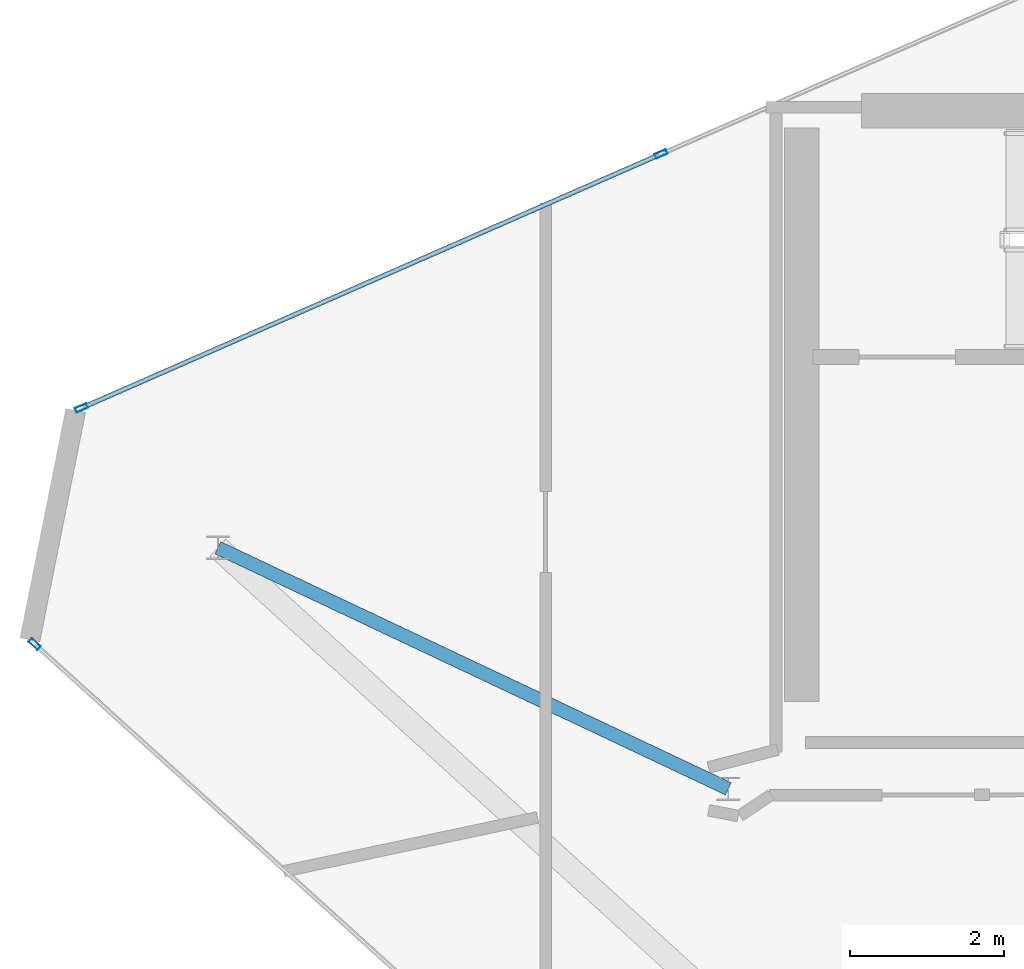
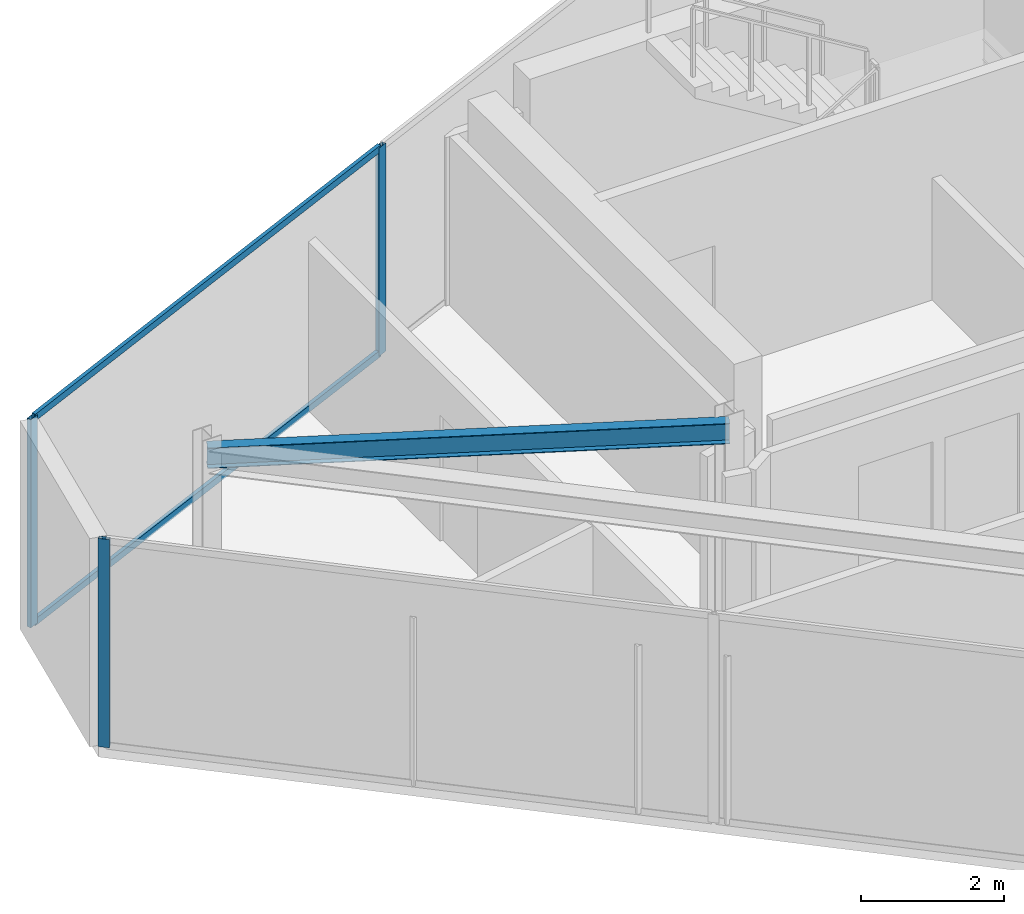
# One storey, part 7 of 16: 5 members, 1 beam, 2 elements without a shape of their own.
"""IFC4 building model written with IfcOpenShell, lengths in metres."""

import ifcopenshell
import ifcopenshell.guid

model = None  # the IFC model being written
_history = None  # IfcOwnerHistory: only IFC2X3 demands one
_inside = {}  # id of a spatial element -> (the spatial element, [elements in it])
_under = {}  # id of a project, library or spatial element -> (it, [spatial elements below it])
_declared = {}  # id of a project -> (the project, [libraries it declares])
_typed = {}  # id of a type object -> (the type object, [elements of that type])
_made_of = {}  # id of a material, layer set ... -> (it, [elements and type objects made of it])


def new_model(schema):
    """Start an empty IFC model of exactly this schema.

    Asked for "IFC4X3", IfcOpenShell would pick the latest addendum, in which some entities
    have other attributes; the version numbers below select the first issue.
    IFC2X3 requires an IfcOwnerHistory on every rooted entity: one is made here for all.
    """
    global model, _history
    if schema == "IFC4X3":
        model = ifcopenshell.file(schema_version=(4, 3, 0, 0))
    else:
        model = ifcopenshell.file(schema=schema)
    _inside.clear()
    _under.clear()
    _declared.clear()
    _typed.clear()
    _made_of.clear()
    _history = None
    if model.schema == "IFC2X3":
        org = make("IfcOrganization", Name="unknown")
        user = make(
            "IfcPersonAndOrganization",
            ThePerson=make("IfcPerson", FamilyName="unknown"),
            TheOrganization=org,
        )
        app = make(
            "IfcApplication",
            ApplicationDeveloper=org,
            Version="unknown",
            ApplicationFullName="unknown",
            ApplicationIdentifier="unknown",
        )
        _history = make(
            "IfcOwnerHistory",
            OwningUser=user,
            OwningApplication=app,
            ChangeAction="ADDED",
            CreationDate=0,
        )
    return model


def make(cls, **values):
    """One entity of the class cls with the attributes given. An attribute that is None is left unset."""
    return model.create_entity(
        cls, **{name: value for name, value in values.items() if value is not None}
    )


def rooted(cls, **values):
    """An entity with a GlobalId (a new one), such as an element, a storey or a relation."""
    return make(cls, GlobalId=ifcopenshell.guid.new(), OwnerHistory=_history, **values)


def si_unit(unit_type, name, prefix=None):
    """IfcSIUnit, for example si_unit("LENGTHUNIT", "METRE", prefix="MILLI")."""
    return make("IfcSIUnit", UnitType=unit_type, Prefix=prefix, Name=name)


def assignment(units):
    """IfcUnitAssignment: the units of a project."""
    return None if units is None else make("IfcUnitAssignment", Units=units)


def point(xyz):
    """IfcCartesianPoint."""
    return None if xyz is None else make("IfcCartesianPoint", Coordinates=xyz)


def direction(xyz):
    """IfcDirection."""
    return None if xyz is None else make("IfcDirection", DirectionRatios=xyz)


def frame(location, z_axis=None, x_axis=None):
    """IfcAxis2Placement3D, a coordinate frame: its origin and axes. An axis left out is left unset."""
    return make(
        "IfcAxis2Placement3D",
        Location=point(location),
        Axis=direction(z_axis),
        RefDirection=direction(x_axis),
    )


def frame_2d(location, x_axis=None):
    """IfcAxis2Placement2D, a coordinate frame in the plane: its origin and x axis."""
    return make(
        "IfcAxis2Placement2D", Location=point(location), RefDirection=direction(x_axis)
    )


def origin():
    """The frame at (0, 0, 0) with its axes left unset."""
    return frame((0.0, 0.0, 0.0))


def origin_2d():
    """The frame at (0, 0) in the plane with its x axis left unset."""
    return frame_2d((0.0, 0.0))


def place(relative_to, where):
    """IfcLocalPlacement: puts the frame where relative to a parent placement (None: the world)."""
    return make(
        "IfcLocalPlacement", PlacementRelTo=relative_to, RelativePlacement=where
    )


def context(
    kind, dimensions, precision=None, world=None, true_north=None, identifier=None
):
    """IfcGeometricRepresentationContext, for example the 3D "Model" context."""
    return make(
        "IfcGeometricRepresentationContext",
        ContextIdentifier=identifier,
        ContextType=kind,
        CoordinateSpaceDimension=dimensions,
        Precision=precision,
        WorldCoordinateSystem=world,
        TrueNorth=true_north,
    )


def subcontext(parent, identifier, kind, view, scale=None):
    """IfcGeometricRepresentationSubContext, for example "Body" below "Model"."""
    return make(
        "IfcGeometricRepresentationSubContext",
        ContextIdentifier=identifier,
        ContextType=kind,
        ParentContext=parent,
        TargetScale=scale,
        TargetView=view,
    )


def project(units=None, contexts=None):
    """IfcProject with its units and contexts."""
    return rooted(
        "IfcProject",
        Name="project",
        RepresentationContexts=contexts,
        UnitsInContext=assignment(units),
    )


def spatial(cls, under=None, at=None, **own):
    """A site, building, storey or space (cls), placed at a placement, below another one or the project."""
    s = rooted(cls, ObjectPlacement=at, **own)
    if under is not None:
        _under.setdefault(under.id(), (under, []))[1].append(s)
    return s


def profile(cls, at=None, kind="AREA", **sizes):
    """A parametric profile (cls). Its sizes go by their IFC names, for example OverallWidth=200.0."""
    return make(cls, ProfileType=kind, Position=at, **sizes)


def hollow_rectangle(**sizes):
    """IfcRectangleHollowProfileDef."""
    return profile("IfcRectangleHollowProfileDef", **sizes)


def i_section(**sizes):
    """IfcIShapeProfileDef."""
    return profile("IfcIShapeProfileDef", **sizes)


def extrude(swept, where, along, depth):
    """IfcExtrudedAreaSolid: the profile swept, set in the frame where, extruded along a direction by depth."""
    return make(
        "IfcExtrudedAreaSolid",
        SweptArea=swept,
        Position=where,
        ExtrudedDirection=direction(along),
        Depth=depth,
    )


def shape(context_of_items, identifier, shape_type, items):
    """IfcShapeRepresentation: the items that make up one representation, for example the "Body"."""
    return make(
        "IfcShapeRepresentation",
        ContextOfItems=context_of_items,
        RepresentationIdentifier=identifier,
        RepresentationType=shape_type,
        Items=items,
    )


def material(Name=None, Category=None):
    """IfcMaterial."""
    return make("IfcMaterial", Name=Name, Category=Category)


def layer(
    of_material, thickness, ventilated=None, Name=None, Category=None, Priority=None
):
    """IfcMaterialLayer: one layer of a wall or slab, of a material (None: an air gap)."""
    return make(
        "IfcMaterialLayer",
        Material=of_material,
        LayerThickness=thickness,
        IsVentilated=ventilated,
        Name=Name,
        Category=Category,
        Priority=Priority,
    )


def layer_set(layers, Name=None):
    """IfcMaterialLayerSet."""
    return make("IfcMaterialLayerSet", MaterialLayers=layers, LayerSetName=Name)


def material_profile(
    of_material, cross_section, Name=None, Category=None, Priority=None
):
    """IfcMaterialProfile: a cross section and its material."""
    return make(
        "IfcMaterialProfile",
        Name=Name,
        Material=of_material,
        Profile=cross_section,
        Priority=Priority,
        Category=Category,
    )


def profile_set(profiles, Name=None, composite=None):
    """IfcMaterialProfileSet."""
    return make(
        "IfcMaterialProfileSet",
        Name=Name,
        MaterialProfiles=profiles,
        CompositeProfile=composite,
    )


def made_of(thing, what):
    """Note that an element or type object is made of a material, layer set ...; save() writes the relation."""
    if what is not None:
        _made_of.setdefault(what.id(), (what, []))[1].append(thing)
    return thing


def type_object(cls, material=None, **own):
    """A type object (cls), such as IfcWallType, which elements share."""
    return made_of(rooted(cls, **own), material)


def element(
    cls,
    number,
    at=None,
    inside=None,
    cuts=None,
    type_object=None,
    material=None,
    context=None,
    identifier="Body",
    shape_type=None,
    held_by="IfcProductDefinitionShape",
    body=None,
    shapes=None,
    **own,
):
    """One element of the class cls, such as IfcWall. Its Tag is "e" and its number.

    at: its placement. inside: the storey or other place that contains it. cuts: it is an
    opening in that element (IfcRelVoidsElement). A single representation is given by context,
    identifier, shape_type and body (its items); several are given by shapes. held_by: the class
    of the entity that holds the representations. save() writes the other relations.
    """
    e = rooted(cls, Tag="e%d" % number, ObjectPlacement=at, **own)
    if body is not None:
        shapes = [shape(context, identifier, shape_type, body)]
    if shapes is not None:
        e.Representation = make(held_by, Representations=shapes)
    if inside is not None:
        _inside.setdefault(inside.id(), (inside, []))[1].append(e)
    if cuts is not None:
        rooted(
            "IfcRelVoidsElement", RelatingBuildingElement=cuts, RelatedOpeningElement=e
        )
    if type_object is not None:
        _typed.setdefault(type_object.id(), (type_object, []))[1].append(e)
    return made_of(e, material)


def aggregate(whole, parts):
    """IfcRelAggregates: a whole, such as a stair, and the parts it consists of."""
    return rooted("IfcRelAggregates", RelatingObject=whole, RelatedObjects=parts)


def save(model, path):
    """Write the relations noted so far, then the file.

    IfcRelAggregates (storeys below a building ...), IfcRelContainedInSpatialStructure (elements
    in a storey), IfcRelDefinesByType, IfcRelAssociatesMaterial and IfcRelDeclares: one each for
    every whole, place, type object, material and project.
    """
    for whole, parts in _under.values():
        aggregate(whole, parts)
    for where, things in _inside.values():
        rooted(
            "IfcRelContainedInSpatialStructure",
            RelatedElements=things,
            RelatingStructure=where,
        )
    for kind, things in _typed.values():
        rooted("IfcRelDefinesByType", RelatedObjects=things, RelatingType=kind)
    for what, things in _made_of.values():
        rooted("IfcRelAssociatesMaterial", RelatedObjects=things, RelatingMaterial=what)
    for by, libraries in _declared.values():
        rooted("IfcRelDeclares", RelatingContext=by, RelatedDefinitions=libraries)
    model.write(path)


model = new_model("IFC4")

# Units and contexts
model_context = context("Model", 3, precision=1e-05, world=origin(), true_north=direction((0.0, 1.0)))
body_context = subcontext(model_context, "Body", "Model", "MODEL_VIEW")
ifc_project = project(units=[si_unit("LENGTHUNIT", "METRE"), si_unit("AREAUNIT", "SQUARE_METRE"), si_unit("VOLUMEUNIT", "CUBIC_METRE"), si_unit("PLANEANGLEUNIT", "RADIAN"), si_unit("MASSUNIT", "GRAM", prefix="KILO")], contexts=[model_context])

# Site, building, storey
site_placement = place(None, origin())
site = spatial("IfcSite", under=ifc_project, at=site_placement, CompositionType="ELEMENT")
building_placement = place(site_placement, origin())
building = spatial("IfcBuilding", under=site, at=building_placement, Name="Qianvela Tower", CompositionType="ELEMENT")
storey_placement = place(building_placement, frame((0.0, 0.0, 367.550048828125)))
storey = spatial("IfcBuildingStorey", under=building, at=storey_placement, Name="L95", CompositionType="ELEMENT", Elevation=367.550048828125)

# Beam
ifc_material_1 = material(Name="Steel Q355B", Category="steel")
ifc_material_profile_1 = material_profile(ifc_material_1, i_section(OverallWidth=0.175048828125, OverallDepth=0.35009765625, WebThickness=0.007080078125, FlangeThickness=0.010986328125, at=origin_2d()), Name="HN350x175x7x11")
ifc_profile_set_1 = profile_set([ifc_material_profile_1], Name="Steel Q355B")
beam_type = type_object("IfcBeamType", Name="BM-HN350-JOIST", PredefinedType="JOIST", material=ifc_profile_set_1)
beam_placement = place(storey_placement, frame((28.60009765625, 23.85009765625, 3.373046875), z_axis=(-0.904234337574, 0.427036605868, 0.0), x_axis=(-0.427036605868, -0.904234337574, 0.0)))
element("IfcBeam", 1, at=beam_placement, inside=storey, type_object=beam_type, Name="L95 Crown Radial Floor Girder 3", PredefinedType="JOIST", context=body_context, shape_type="SweptSolid", body=[
    extrude(i_section(OverallWidth=0.175048828125, OverallDepth=0.35009765625, WebThickness=0.007080078125, FlangeThickness=0.010986328125, at=origin_2d()), origin(), (0.0, 0.0, 1.0), 7.320068359375),
])

# Curtain wall, members
ifc_material_2 = material(Name="Anodised Architectural Aluminium and Low-E Glass", Category="aluminium")
ifc_layer = layer(ifc_material_2, 0.159912109375)
ifc_layer_set = layer_set([ifc_layer], Name="Anodised Architectural Aluminium and Low-E Glass")
curtain_wall_type = type_object("IfcCurtainWallType", Name="CW-CROWN", PredefinedType="USERDEFINED", material=ifc_layer_set)
curtain_wall_1_placement = place(storey_placement, origin())
curtain_wall_1 = element("IfcCurtainWall", 2, at=curtain_wall_1_placement, inside=storey, type_object=curtain_wall_type, Name="L95 CW-CROWN Curtain Wall 02", ObjectType="CURTAIN_WALL_SYSTEM", PredefinedType="USERDEFINED")
ifc_material_3 = material(Name="Anodised Architectural Aluminium 6063-T6", Category="aluminium")
ifc_material_profile_2 = material_profile(ifc_material_3, hollow_rectangle(XDim=0.06494140625, YDim=0.159912109375, WallThickness=0.0048828125, at=origin_2d()), Name="ALU-MULL-65x160")
ifc_profile_set_2 = profile_set([ifc_material_profile_2], Name="Anodised Architectural Aluminium 6063-T6")
member_type_1 = type_object("IfcMemberType", Name="CW-CROWN-MULL", PredefinedType="MULLION", material=ifc_profile_set_2)
member_1_placement = place(storey_placement, frame((27.728759765625, 32.084228515625, 0.0), z_axis=(0.0, 0.0, 1.0), x_axis=(0.401389946055, -0.915907261247, 0.0)))
member_1 = element("IfcMember", 3, at=member_1_placement, type_object=member_type_1, Name="CW-8 mullion 4", PredefinedType="MULLION", context=body_context, shape_type="SweptSolid", body=[
    extrude(hollow_rectangle(XDim=0.06494140625, YDim=0.159912109375, WallThickness=0.0048828125, at=origin_2d()), origin(), (0.0, 0.0, 1.0), 3.550048828125),
])
member_2_placement = place(storey_placement, frame((20.211181640625, 28.78955078125, 0.0), z_axis=(0.0, 0.0, 1.0), x_axis=(0.401389946055, -0.915907261247, 0.0)))
member_2 = element("IfcMember", 4, at=member_2_placement, type_object=member_type_1, Name="CW-8 mullion 5", PredefinedType="MULLION", context=body_context, shape_type="SweptSolid", body=[
    extrude(hollow_rectangle(XDim=0.06494140625, YDim=0.159912109375, WallThickness=0.0048828125, at=origin_2d()), origin(), (0.0, 0.0, 1.0), 3.550048828125),
])

# Curtain wall, member
curtain_wall_2_placement = place(storey_placement, origin())
curtain_wall_2 = element("IfcCurtainWall", 5, at=curtain_wall_2_placement, inside=storey, type_object=curtain_wall_type, Name="L95 CW-CROWN Curtain Wall 04", ObjectType="CURTAIN_WALL_SYSTEM", PredefinedType="USERDEFINED")
member_3_placement = place(storey_placement, frame((19.60302734375, 25.727294921875, 0.0), z_axis=(0.0, 0.0, 1.0), x_axis=(0.671204546538, 0.741272188003, 0.0)))
member_3 = element("IfcMember", 6, at=member_3_placement, type_object=member_type_1, Name="CW-8 mullion 1", PredefinedType="MULLION", context=body_context, shape_type="SweptSolid", body=[
    extrude(hollow_rectangle(XDim=0.06494140625, YDim=0.159912109375, WallThickness=0.0048828125, at=origin_2d()), origin(), (0.0, 0.0, 1.0), 3.550048828125),
])
aggregate(curtain_wall_2, [member_3])

# Member
ifc_material_4 = material(Name="Anodised Architectural Aluminium 6063-T6", Category="aluminium")
ifc_material_profile_3 = material_profile(ifc_material_4, hollow_rectangle(XDim=0.06005859375, YDim=0.114990234375, WallThickness=0.00390625, at=origin_2d()), Name="ALU-TRAN-60x115")
ifc_profile_set_3 = profile_set([ifc_material_profile_3], Name="Anodised Architectural Aluminium 6063-T6")
member_type_2 = type_object("IfcMemberType", Name="CW-CROWN-TRAN", PredefinedType="USERDEFINED", material=ifc_profile_set_3)
member_4_placement = place(storey_placement, frame((27.698974609375, 32.071044921875, 0.030029296875), z_axis=(-0.915905998226, -0.401392828055, 0.0), x_axis=(0.401392828055, -0.915905998226, 0.0)))
member_4 = element("IfcMember", 7, at=member_4_placement, type_object=member_type_2, Name="CW-8 transom 4.1", ObjectType="TRANSOM", PredefinedType="USERDEFINED", context=body_context, shape_type="SweptSolid", body=[
    extrude(hollow_rectangle(XDim=0.06005859375, YDim=0.114990234375, WallThickness=0.00390625, at=origin_2d()), origin(), (0.0, 0.0, 1.0), 8.14306640625),
])

member_5_placement = place(storey_placement, frame((27.698974609375, 32.071044921875, 3.52001953125), z_axis=(-0.915905998226, -0.401392828055, 0.0), x_axis=(0.401392828055, -0.915905998226, 0.0)))
member_5 = element("IfcMember", 8, at=member_5_placement, type_object=member_type_2, Name="CW-8 transom 4.2", ObjectType="TRANSOM", PredefinedType="USERDEFINED", context=body_context, shape_type="SweptSolid", body=[
    extrude(hollow_rectangle(XDim=0.06005859375, YDim=0.114990234375, WallThickness=0.00390625, at=origin_2d()), origin(), (0.0, 0.0, 1.0), 8.14306640625),
])

aggregate(curtain_wall_1, [member_1, member_2, member_4, member_5])

save(model, "model.ifc")
